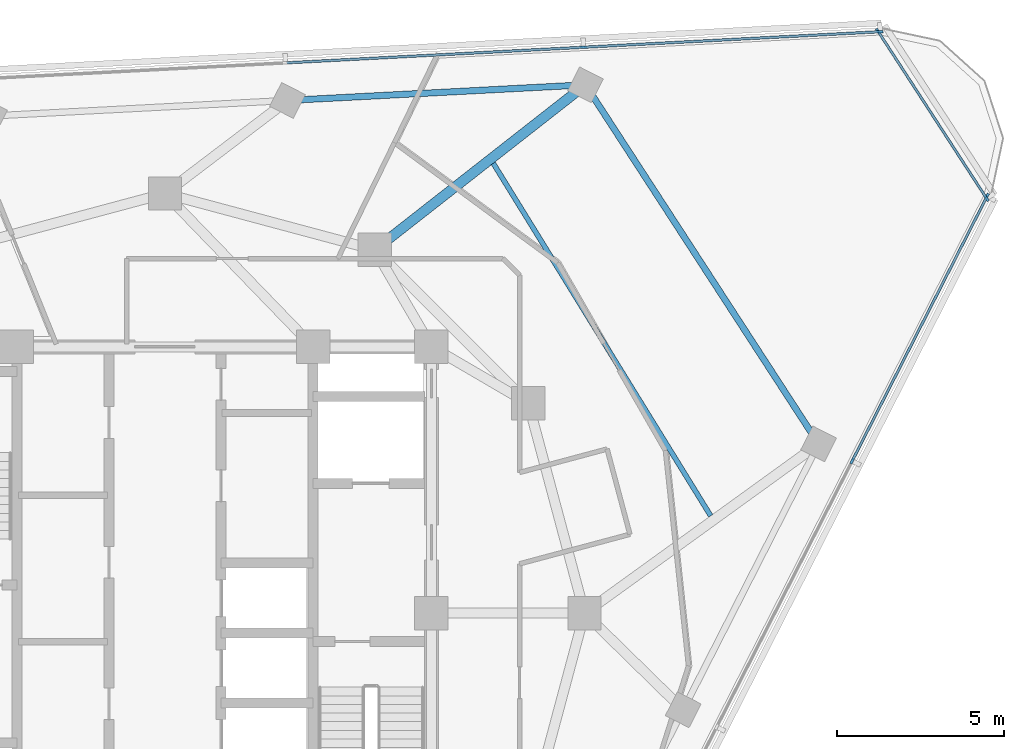
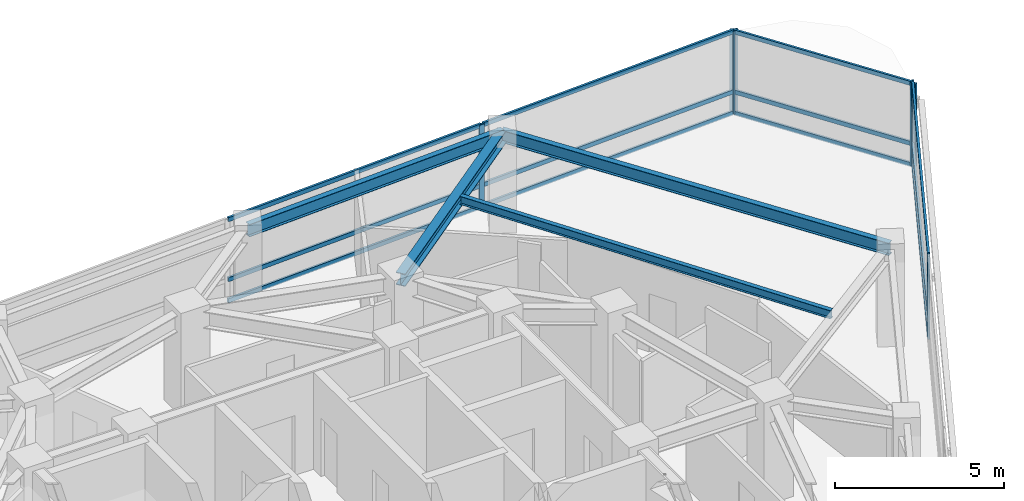
# One storey, part 6 of 15: 18 members, 4 beams, 3 elements without a shape of their own.
"""IFC4 building model written with IfcOpenShell, lengths in metres."""

from ifc_helpers import new_model, si_unit, direction, frame, origin, origin_2d, place, context, subcontext, project, spatial, rectangle, i_section, extrude, material, layer, layer_set, material_profile, profile_set, type_object, element, aggregate, save


model = new_model("IFC4")

# Units and contexts
model_context = context("Model", 3, precision=1e-05, world=origin(), true_north=direction((0.0, 1.0)))
body_context = subcontext(model_context, "Body", "Model", "MODEL_VIEW")
ifc_project = project(units=[si_unit("LENGTHUNIT", "METRE"), si_unit("AREAUNIT", "SQUARE_METRE"), si_unit("VOLUMEUNIT", "CUBIC_METRE"), si_unit("PLANEANGLEUNIT", "RADIAN"), si_unit("MASSUNIT", "GRAM", prefix="KILO")], contexts=[model_context])

# Site, building, storey
site_placement = place(None, origin())
site = spatial("IfcSite", under=ifc_project, at=site_placement, CompositionType="ELEMENT")
building_placement = place(site_placement, origin())
building = spatial("IfcBuilding", under=site, at=building_placement, Name="Terralouvre Media Tower", CompositionType="ELEMENT")
storey_placement = place(building_placement, frame((0.0, 0.0, 259.60009765625)))
storey = spatial("IfcBuildingStorey", under=building, at=storey_placement, Name="L67", CompositionType="ELEMENT", Elevation=259.60009765625)

# Beam
ifc_material_1 = material(Name="Structural steel S355J2", Category="steel")
ifc_material_profile_1 = material_profile(ifc_material_1, i_section(OverallWidth=0.14990234375, OverallDepth=0.300048828125, WebThickness=0.007080078125, FlangeThickness=0.0107421875, at=origin_2d()), Name="IPE 300")
ifc_profile_set_1 = profile_set([ifc_material_profile_1], Name="Structural steel S355J2")
beam_type_1 = type_object("IfcBeamType", Name="Composite Floor Joist J-IPE300 (IPE 300)", PredefinedType="JOIST", material=ifc_profile_set_1)
beam_1_placement = place(storey_placement, frame((16.387451171875, 2.9228515625, 3.349853515625), z_axis=(-0.524944877802, 0.851136226035, 0.0), x_axis=(-0.851136226035, -0.524944877802, 0.0)))
element("IfcBeam", 1, at=beam_1_placement, inside=storey, type_object=beam_type_1, Name="L67 Framing Beam JT-L67-03", PredefinedType="JOIST", context=body_context, shape_type="SweptSolid", body=[
    extrude(i_section(OverallWidth=0.14990234375, OverallDepth=0.300048828125, WebThickness=0.007080078125, FlangeThickness=0.0107421875, at=origin_2d()), origin(), (0.0, 0.0, 1.0), 12.43701171875),
])

# Curtain wall, members
ifc_material_2 = material(Name="Low-iron laminated double glazing with solar-control coating", Category="glass")
ifc_layer_1 = layer(ifc_material_2, 0.1650390625, Name="Upper Executive Tower Curtain Wall CW-05")
ifc_layer_set_1 = layer_set([ifc_layer_1], Name="Low-iron laminated double glazing with solar-control coating")
curtain_wall_type_1 = type_object("IfcCurtainWallType", Name="Upper Executive Tower Curtain Wall CW-05", PredefinedType="NOTDEFINED", material=ifc_layer_set_1)
curtain_wall_1_placement = place(storey_placement, origin())
curtain_wall_1 = element("IfcCurtainWall", 2, at=curtain_wall_1_placement, inside=storey, type_object=curtain_wall_type_1, Name="L67 Facade Curtain Wall F0", PredefinedType="NOTDEFINED")
ifc_material_3 = material(Name="Anodised extruded aluminium 6063-T6", Category="aluminium")
ifc_material_profile_2 = material_profile(ifc_material_3, rectangle(XDim=0.074951171875, YDim=0.14990234375, at=origin_2d()), Name="ALU 75x150")
ifc_profile_set_2 = profile_set([ifc_material_profile_2], Name="Anodised extruded aluminium 6063-T6")
member_type_1 = type_object("IfcMemberType", Name="Curtain-Wall Horizontal Transom TR-150", PredefinedType="USERDEFINED", material=ifc_profile_set_2)
member_1_placement = place(storey_placement, frame((20.6533203125, 4.602783203125, 0.037353515625), z_axis=(0.453989026721, 0.891007274727, 0.0), x_axis=(-0.891007274727, 0.453989026721, 0.0)))
member_1 = element("IfcMember", 3, at=member_1_placement, type_object=member_type_1, Name="CW-05 transom 5.1", ObjectType="TRANSOM", PredefinedType="USERDEFINED", context=body_context, shape_type="SweptSolid", body=[
    extrude(rectangle(XDim=0.074951171875, YDim=0.14990234375, at=origin_2d()), origin(), (0.0, 0.0, 1.0), 8.847412109375),
])
member_2_placement = place(storey_placement, frame((20.6533203125, 4.602783203125, 0.7998046875), z_axis=(0.453989026721, 0.891007274727, 0.0), x_axis=(-0.891007274727, 0.453989026721, 0.0)))
member_2 = element("IfcMember", 4, at=member_2_placement, type_object=member_type_1, Name="CW-05 transom 5.2", ObjectType="TRANSOM", PredefinedType="USERDEFINED", context=body_context, shape_type="SweptSolid", body=[
    extrude(rectangle(XDim=0.074951171875, YDim=0.14990234375, at=origin_2d()), origin(), (0.0, 0.0, 1.0), 8.847412109375),
])
member_3_placement = place(storey_placement, frame((20.6533203125, 4.602783203125, 2.96240234375), z_axis=(0.453989026721, 0.891007274727, 0.0), x_axis=(-0.891007274727, 0.453989026721, 0.0)))
member_3 = element("IfcMember", 5, at=member_3_placement, type_object=member_type_1, Name="CW-05 transom 5.3", ObjectType="TRANSOM", PredefinedType="USERDEFINED", context=body_context, shape_type="SweptSolid", body=[
    extrude(rectangle(XDim=0.074951171875, YDim=0.14990234375, at=origin_2d()), origin(), (0.0, 0.0, 1.0), 8.847412109375),
])

curtain_wall_2_placement = place(storey_placement, origin())
curtain_wall_2 = element("IfcCurtainWall", 6, at=curtain_wall_2_placement, inside=storey, type_object=curtain_wall_type_1, Name="L67 Facade Curtain Wall F1", PredefinedType="NOTDEFINED")
member_4_placement = place(storey_placement, frame((21.440673828125, 17.458740234375, 0.037353515625), z_axis=(-0.99862901196, -0.052345930801, 0.0), x_axis=(0.052345930801, -0.99862901196, 0.0)))
member_4 = element("IfcMember", 7, at=member_4_placement, type_object=member_type_1, Name="CW-05 transom 1.1", ObjectType="TRANSOM", PredefinedType="USERDEFINED", context=body_context, shape_type="SweptSolid", body=[
    extrude(rectangle(XDim=0.074951171875, YDim=0.14990234375, at=origin_2d()), origin(), (0.0, 0.0, 1.0), 8.84765625),
])
member_5_placement = place(storey_placement, frame((21.440673828125, 17.458740234375, 0.7998046875), z_axis=(-0.99862901196, -0.052345930801, 0.0), x_axis=(0.052345930801, -0.99862901196, 0.0)))
member_5 = element("IfcMember", 8, at=member_5_placement, type_object=member_type_1, Name="CW-05 transom 1.2", ObjectType="TRANSOM", PredefinedType="USERDEFINED", context=body_context, shape_type="SweptSolid", body=[
    extrude(rectangle(XDim=0.074951171875, YDim=0.14990234375, at=origin_2d()), origin(), (0.0, 0.0, 1.0), 8.84765625),
])
member_6_placement = place(storey_placement, frame((21.440673828125, 17.458740234375, 2.96240234375), z_axis=(-0.99862901196, -0.052345930801, 0.0), x_axis=(0.052345930801, -0.99862901196, 0.0)))
member_6 = element("IfcMember", 9, at=member_6_placement, type_object=member_type_1, Name="CW-05 transom 1.3", ObjectType="TRANSOM", PredefinedType="USERDEFINED", context=body_context, shape_type="SweptSolid", body=[
    extrude(rectangle(XDim=0.074951171875, YDim=0.14990234375, at=origin_2d()), origin(), (0.0, 0.0, 1.0), 8.84765625),
])
member_7_placement = place(storey_placement, frame((12.5302734375, 16.99169921875, 0.037353515625), z_axis=(-0.998629040577, -0.052345384869, 0.0), x_axis=(0.052345384869, -0.998629040577, 0.0)))
member_7 = element("IfcMember", 10, at=member_7_placement, type_object=member_type_1, Name="CW-05 transom 2.1", ObjectType="TRANSOM", PredefinedType="USERDEFINED", context=body_context, shape_type="SweptSolid", body=[
    extrude(rectangle(XDim=0.074951171875, YDim=0.14990234375, at=origin_2d()), origin(), (0.0, 0.0, 1.0), 8.885009765625),
])
member_8_placement = place(storey_placement, frame((12.5302734375, 16.99169921875, 0.7998046875), z_axis=(-0.998629040577, -0.052345384869, 0.0), x_axis=(0.052345384869, -0.998629040577, 0.0)))
member_8 = element("IfcMember", 11, at=member_8_placement, type_object=member_type_1, Name="CW-05 transom 2.2", ObjectType="TRANSOM", PredefinedType="USERDEFINED", context=body_context, shape_type="SweptSolid", body=[
    extrude(rectangle(XDim=0.074951171875, YDim=0.14990234375, at=origin_2d()), origin(), (0.0, 0.0, 1.0), 8.885009765625),
])
member_9_placement = place(storey_placement, frame((12.5302734375, 16.99169921875, 2.96240234375), z_axis=(-0.998629040577, -0.052345384869, 0.0), x_axis=(0.052345384869, -0.998629040577, 0.0)))
member_9 = element("IfcMember", 12, at=member_9_placement, type_object=member_type_1, Name="CW-05 transom 2.3", ObjectType="TRANSOM", PredefinedType="USERDEFINED", context=body_context, shape_type="SweptSolid", body=[
    extrude(rectangle(XDim=0.074951171875, YDim=0.14990234375, at=origin_2d()), origin(), (0.0, 0.0, 1.0), 8.885009765625),
])

ifc_material_4 = material(Name="Low-iron laminated double glazing with solar-control coating", Category="glass")
ifc_layer_2 = layer(ifc_material_4, 0.1650390625, Name="Rounded Wind-Corner Curved Glazing CW-04")
ifc_layer_set_2 = layer_set([ifc_layer_2], Name="Low-iron laminated double glazing with solar-control coating")
curtain_wall_type_2 = type_object("IfcCurtainWallType", Name="Rounded Wind-Corner Curved Glazing CW-04", PredefinedType="NOTDEFINED", material=ifc_layer_set_2)
curtain_wall_3_placement = place(storey_placement, origin())
curtain_wall_3 = element("IfcCurtainWall", 13, at=curtain_wall_3_placement, inside=storey, type_object=curtain_wall_type_2, Name="L67 Rounded Wind-Corner Curtain Wall C1", PredefinedType="NOTDEFINED")
member_10_placement = place(storey_placement, frame((24.65283203125, 12.48486328125, 0.037353515625), z_axis=(-0.544654480098, 0.838660537589, 0.0), x_axis=(-0.838660537589, -0.544654480098, 0.0)))
member_10 = element("IfcMember", 14, at=member_10_placement, type_object=member_type_1, Name="CW-04 transom 1.1", ObjectType="TRANSOM", PredefinedType="USERDEFINED", context=body_context, shape_type="SweptSolid", body=[
    extrude(rectangle(XDim=0.074951171875, YDim=0.14990234375, at=origin_2d()), origin(), (0.0, 0.0, 1.0), 5.912353515625),
])
member_11_placement = place(storey_placement, frame((24.65283203125, 12.48486328125, 0.7998046875), z_axis=(-0.544654480098, 0.838660537589, 0.0), x_axis=(-0.838660537589, -0.544654480098, 0.0)))
member_11 = element("IfcMember", 15, at=member_11_placement, type_object=member_type_1, Name="CW-04 transom 1.2", ObjectType="TRANSOM", PredefinedType="USERDEFINED", context=body_context, shape_type="SweptSolid", body=[
    extrude(rectangle(XDim=0.074951171875, YDim=0.14990234375, at=origin_2d()), origin(), (0.0, 0.0, 1.0), 5.912353515625),
])
member_12_placement = place(storey_placement, frame((24.65283203125, 12.48486328125, 2.96240234375), z_axis=(-0.544654480098, 0.838660537589, 0.0), x_axis=(-0.838660537589, -0.544654480098, 0.0)))
member_12 = element("IfcMember", 16, at=member_12_placement, type_object=member_type_1, Name="CW-04 transom 1.3", ObjectType="TRANSOM", PredefinedType="USERDEFINED", context=body_context, shape_type="SweptSolid", body=[
    extrude(rectangle(XDim=0.074951171875, YDim=0.14990234375, at=origin_2d()), origin(), (0.0, 0.0, 1.0), 5.912353515625),
])

# Member
ifc_material_5 = material(Name="Anodised extruded aluminium 6063-T6", Category="aluminium")
ifc_material_profile_3 = material_profile(ifc_material_5, rectangle(XDim=0.074951171875, YDim=0.179931640625, at=origin_2d()), Name="ALU 75x180")
ifc_profile_set_3 = profile_set([ifc_material_profile_3], Name="Anodised extruded aluminium 6063-T6")
member_type_2 = type_object("IfcMemberType", Name="Curtain-Wall Vertical Mullion ML-180", PredefinedType="MULLION", material=ifc_profile_set_3)
member_13_placement = place(storey_placement, frame((20.63623046875, 4.5693359375, 0.0), z_axis=(0.0, 0.0, 1.0), x_axis=(-0.891006553308, 0.45399044259, 0.0)))
member_13 = element("IfcMember", 17, at=member_13_placement, type_object=member_type_2, Name="CW-05 mullion 5", PredefinedType="MULLION", context=body_context, shape_type="SweptSolid", body=[
    extrude(rectangle(XDim=0.074951171875, YDim=0.179931640625, at=origin_2d()), origin(), (0.0, 0.0, 1.0), 3.0),
])

member_14_placement = place(storey_placement, frame((24.68701171875, 12.519287109375, 0.0), z_axis=(0.0, 0.0, 1.0), x_axis=(-0.891006553308, 0.45399044259, 0.0)))
member_14 = element("IfcMember", 18, at=member_14_placement, type_object=member_type_2, Name="CW-05 mullion 6", PredefinedType="MULLION", context=body_context, shape_type="SweptSolid", body=[
    extrude(rectangle(XDim=0.074951171875, YDim=0.179931640625, at=origin_2d()), origin(), (0.0, 0.0, 1.0), 3.0),
])

aggregate(curtain_wall_1, [member_13, member_14, member_1, member_2, member_3])

member_15_placement = place(storey_placement, frame((21.47802734375, 17.460693359375, 0.0), z_axis=(0.0, 0.0, 1.0), x_axis=(0.052336163844, -0.998629523875, 0.0)))
member_15 = element("IfcMember", 19, at=member_15_placement, type_object=member_type_2, Name="CW-05 mullion 1", PredefinedType="MULLION", context=body_context, shape_type="SweptSolid", body=[
    extrude(rectangle(XDim=0.074951171875, YDim=0.179931640625, at=origin_2d()), origin(), (0.0, 0.0, 1.0), 3.0),
])

member_16_placement = place(storey_placement, frame((12.56787109375, 16.99365234375, 0.0), z_axis=(0.0, 0.0, 1.0), x_axis=(0.052336163844, -0.998629523875, 0.0)))
member_16 = element("IfcMember", 20, at=member_16_placement, type_object=member_type_2, Name="CW-05 mullion 2", PredefinedType="MULLION", context=body_context, shape_type="SweptSolid", body=[
    extrude(rectangle(XDim=0.074951171875, YDim=0.179931640625, at=origin_2d()), origin(), (0.0, 0.0, 1.0), 3.0),
])

aggregate(curtain_wall_2, [member_15, member_16, member_4, member_5, member_6, member_7, member_8, member_9])

member_17_placement = place(storey_placement, frame((24.673095703125, 12.453369140625, 0.0), z_axis=(0.0, 0.0, 1.0), x_axis=(-0.838670462688, -0.544639197097, 0.0)))
member_17 = element("IfcMember", 21, at=member_17_placement, type_object=member_type_2, Name="CW-04 mullion 1", PredefinedType="MULLION", context=body_context, shape_type="SweptSolid", body=[
    extrude(rectangle(XDim=0.074951171875, YDim=0.179931640625, at=origin_2d()), origin(), (0.0, 0.0, 1.0), 3.0),
])

member_18_placement = place(storey_placement, frame((21.412353515625, 17.474853515625, 0.0), z_axis=(0.0, 0.0, 1.0), x_axis=(-0.838670462688, -0.544639197097, 0.0)))
member_18 = element("IfcMember", 22, at=member_18_placement, type_object=member_type_2, Name="CW-04 mullion 2", PredefinedType="MULLION", context=body_context, shape_type="SweptSolid", body=[
    extrude(rectangle(XDim=0.074951171875, YDim=0.179931640625, at=origin_2d()), origin(), (0.0, 0.0, 1.0), 3.0),
])

aggregate(curtain_wall_3, [member_17, member_18, member_10, member_11, member_12])

# Beams
ifc_material_6 = material(Name="Structural steel S355J2", Category="steel")
ifc_material_profile_4 = material_profile(ifc_material_6, i_section(OverallWidth=0.18994140625, OverallDepth=0.449951171875, WebThickness=0.009521484375, FlangeThickness=0.0146484375, at=origin_2d()), Name="IPE 450")
ifc_profile_set_4 = profile_set([ifc_material_profile_4], Name="Structural steel S355J2")
beam_type_2 = type_object("IfcBeamType", Name="Perimeter Spandrel Beam SPB-450 (IPE 450)", PredefinedType="SPANDREL", material=ifc_profile_set_4)
beam_2_placement = place(storey_placement, frame((19.62939453125, 5.082275390625, 3.27490234375), z_axis=(-0.544633890672, 0.838673908699, 0.0), x_axis=(-0.838673908699, -0.544633890672, 0.0)))
element("IfcBeam", 23, at=beam_2_placement, inside=storey, type_object=beam_type_2, Name="L67 Framing Beam BM-L67-PR07", PredefinedType="SPANDREL", context=body_context, shape_type="SweptSolid", body=[
    extrude(i_section(OverallWidth=0.18994140625, OverallDepth=0.449951171875, WebThickness=0.009521484375, FlangeThickness=0.0146484375, at=origin_2d()), origin(), (0.0, 0.0, 1.0), 12.857177734375),
])
beam_3_placement = place(storey_placement, frame((12.626953125, 15.865234375, 3.27490234375), z_axis=(-0.998629171747, -0.052342882372, 0.0), x_axis=(0.052342882372, -0.998629171747, 0.0)))
element("IfcBeam", 24, at=beam_3_placement, inside=storey, type_object=beam_type_2, Name="L67 Framing Beam BM-L67-PR08", PredefinedType="SPANDREL", context=body_context, shape_type="SweptSolid", body=[
    extrude(i_section(OverallWidth=0.18994140625, OverallDepth=0.449951171875, WebThickness=0.009521484375, FlangeThickness=0.0146484375, at=origin_2d()), origin(), (0.0, 0.0, 1.0), 8.9599609375),
])
ifc_material_7 = material(Name="Structural steel S355J2", Category="steel")
ifc_material_profile_5 = material_profile(ifc_material_7, i_section(OverallWidth=0.300048828125, OverallDepth=0.449951171875, WebThickness=0.013916015625, FlangeThickness=0.02587890625, at=origin_2d()), Name="HEB 450")
ifc_profile_set_5 = profile_set([ifc_material_profile_5], Name="Structural steel S355J2")
beam_type_3 = type_object("IfcBeamType", Name="Primary Floor Girder B-HEB450 (HEB 450)", PredefinedType="BEAM", material=ifc_profile_set_5)
beam_4_placement = place(storey_placement, frame((6.300048828125, 10.911865234375, 3.27490234375), z_axis=(0.787391503235, 0.616453259083, 0.0), x_axis=(-0.616453259083, 0.787391503235, 0.0)))
element("IfcBeam", 25, at=beam_4_placement, inside=storey, type_object=beam_type_3, Name="L67 Framing Beam BM-L67-RD08", PredefinedType="BEAM", context=body_context, shape_type="SweptSolid", body=[
    extrude(i_section(OverallWidth=0.300048828125, OverallDepth=0.449951171875, WebThickness=0.013916015625, FlangeThickness=0.02587890625, at=origin_2d()), origin(), (0.0, 0.0, 1.0), 8.03515625),
])

save(model, "model.ifc")
